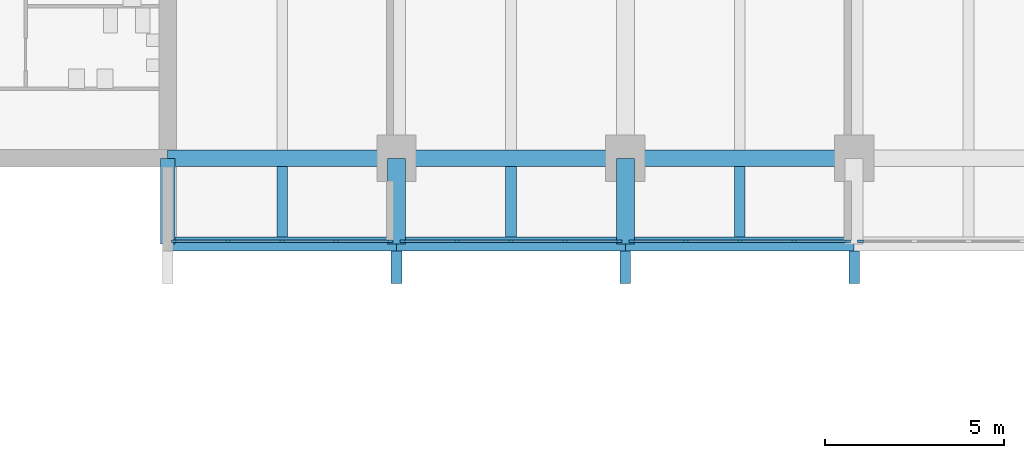
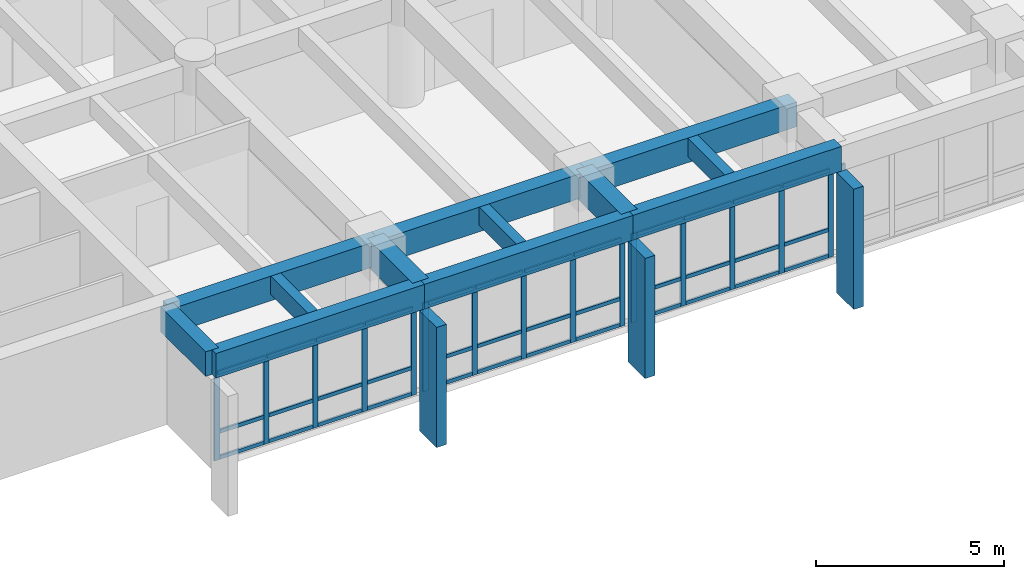
# One storey, part 2 of 19: 55 members, 12 beams, 4 elements without a shape of their own.
"""IFC4 building model written with IfcOpenShell, lengths in metres."""

from ifc_helpers import new_model, si_unit, direction, frame, origin, origin_2d, place, context, subcontext, project, spatial, rectangle, extrude, material, layer, layer_set, material_profile, profile_set, type_object, element, aggregate, save


model = new_model("IFC4")

# Units and contexts
model_context = context("Model", 3, precision=1e-05, world=origin(), true_north=direction((0.0, 1.0)))
body_context = subcontext(model_context, "Body", "Model", "MODEL_VIEW")
ifc_project = project(units=[si_unit("LENGTHUNIT", "METRE"), si_unit("AREAUNIT", "SQUARE_METRE"), si_unit("VOLUMEUNIT", "CUBIC_METRE"), si_unit("PLANEANGLEUNIT", "RADIAN"), si_unit("MASSUNIT", "GRAM", prefix="KILO")], contexts=[model_context])

# Site, building, storey
site_placement = place(None, origin())
site = spatial("IfcSite", under=ifc_project, at=site_placement, CompositionType="ELEMENT")
building_placement = place(site_placement, origin())
building = spatial("IfcBuilding", under=site, at=building_placement, Name="Fogon Plaza Fire Station and Headquarters Tower", CompositionType="ELEMENT")
storey_placement = place(building_placement, frame((0.0, 0.0, 17.10009765625)))
storey = spatial("IfcBuildingStorey", under=building, at=storey_placement, Name="L04", CompositionType="ELEMENT", Elevation=17.10009765625)

# Beams
ifc_material_1 = material(Name="Concrete C40", Category="concrete")
ifc_material_profile_1 = material_profile(ifc_material_1, rectangle(XDim=0.39990234375, YDim=0.800048828125, at=origin_2d()), Name="RC 400x800")
ifc_profile_set_1 = profile_set([ifc_material_profile_1], Name="Concrete C40")
beam_type_1 = type_object("IfcBeamType", Name="BEAM RC 400x800", PredefinedType="BEAM", material=ifc_profile_set_1)
for number, where, z_axis, x_axis, name in (
    (1, (25.60009765625, 31.199951171875, 3.27978515625), (1.0, 0.0, 0.0), (0.0, 1.0, 0.0), "beam-L04-039"),
    (2, (32.0, 31.199951171875, 3.27978515625), (1.0, 0.0, 0.0), (0.0, 1.0, 0.0), "beam-L04-040"),
):
    element("IfcBeam", number, at=place(storey_placement, frame(where, z_axis=z_axis, x_axis=x_axis)), inside=storey, type_object=beam_type_1, Name=name, PredefinedType="BEAM", context=body_context, shape_type="SweptSolid", body=[
        extrude(rectangle(XDim=0.39990234375, YDim=0.800048828125, at=origin_2d()), origin(), (0.0, 0.0, 1.0), 6.39990234375),
    ])
beam_1_placement = place(storey_placement, frame((38.39990234375, 31.199951171875, 3.27978515625), z_axis=(1.0, 0.0, 0.0), x_axis=(0.0, 1.0, 0.0)))
element("IfcBeam", 3, at=beam_1_placement, inside=storey, type_object=beam_type_1, Name="beam-L04-041", PredefinedType="BEAM", context=body_context, shape_type="SweptSolid", body=[
    extrude(rectangle(XDim=0.39990234375, YDim=0.800048828125, at=origin_2d()), origin(), (0.0, 0.0, 1.0), 6.400146484375),
])
ifc_material_2 = material(Name="Concrete C40", Category="concrete")
ifc_material_profile_2 = material_profile(ifc_material_2, rectangle(XDim=0.39990234375, YDim=0.800048828125, at=origin_2d()), Name="RC 400x800")
ifc_profile_set_2 = profile_set([ifc_material_profile_2], Name="Concrete C40")
beam_type_2 = type_object("IfcBeamType", Name="BEAM RC 400x800 SPAN 0.0 TO 3.0 M", PredefinedType="BEAM", material=ifc_profile_set_2)
beam_2_placement = place(storey_placement, frame((25.60009765625, 31.199951171875, 3.27978515625), z_axis=(0.0, 1.0, 0.0), x_axis=(-1.0, 0.0, 0.0)))
element("IfcBeam", 4, at=beam_2_placement, inside=storey, type_object=beam_type_2, Name="beam-L04-051", PredefinedType="BEAM", context=body_context, shape_type="SweptSolid", body=[
    extrude(rectangle(XDim=0.39990234375, YDim=0.800048828125, at=origin_2d()), origin(), (0.0, 0.0, 1.0), 2.400146484375),
])
ifc_material_3 = material(Name="Concrete C40", Category="concrete")
ifc_material_profile_3 = material_profile(ifc_material_3, rectangle(XDim=0.449951171875, YDim=0.800048828125, at=origin_2d()), Name="RC 450x800")
ifc_profile_set_3 = profile_set([ifc_material_profile_3], Name="Concrete C40")
beam_type_3 = type_object("IfcBeamType", Name="BEAM RC 450x800", PredefinedType="BEAM", material=ifc_profile_set_3)
for number, where, z_axis, x_axis, name in (
    (5, (25.60009765625, 33.60009765625, 3.27978515625), (1.0, 0.0, 0.0), (0.0, 1.0, 0.0), "beam-L04-021"),
    (6, (32.0, 33.60009765625, 3.27978515625), (1.0, 0.0, 0.0), (0.0, 1.0, 0.0), "beam-L04-022"),
):
    element("IfcBeam", number, at=place(storey_placement, frame(where, z_axis=z_axis, x_axis=x_axis)), inside=storey, type_object=beam_type_3, Name=name, PredefinedType="BEAM", context=body_context, shape_type="SweptSolid", body=[
        extrude(rectangle(XDim=0.449951171875, YDim=0.800048828125, at=origin_2d()), origin(), (0.0, 0.0, 1.0), 6.39990234375),
    ])
beam_3_placement = place(storey_placement, frame((38.39990234375, 33.60009765625, 3.27978515625), z_axis=(1.0, 0.0, 0.0), x_axis=(0.0, 1.0, 0.0)))
element("IfcBeam", 7, at=beam_3_placement, inside=storey, type_object=beam_type_3, Name="beam-L04-023", PredefinedType="BEAM", context=body_context, shape_type="SweptSolid", body=[
    extrude(rectangle(XDim=0.449951171875, YDim=0.800048828125, at=origin_2d()), origin(), (0.0, 0.0, 1.0), 6.400146484375),
])
ifc_material_4 = material(Name="Concrete C40", Category="concrete")
ifc_material_profile_4 = material_profile(ifc_material_4, rectangle(XDim=0.5, YDim=0.89990234375, at=origin_2d()), Name="RC 500x900")
ifc_profile_set_4 = profile_set([ifc_material_profile_4], Name="Concrete C40")
beam_type_4 = type_object("IfcBeamType", Name="BEAM RC 500x900 SPAN 0.0 TO 3.0 M", PredefinedType="BEAM", material=ifc_profile_set_4)
for number, where, z_axis, x_axis, name in (
    (8, (32.0, 31.199951171875, 3.22998046875), (0.0, 1.0, 0.0), (-1.0, 0.0, 0.0), "beam-L04-001"),
    (9, (38.39990234375, 31.199951171875, 3.22998046875), (0.0, 1.0, 0.0), (-1.0, 0.0, 0.0), "beam-L04-005"),
):
    element("IfcBeam", number, at=place(storey_placement, frame(where, z_axis=z_axis, x_axis=x_axis)), inside=storey, type_object=beam_type_4, Name=name, PredefinedType="BEAM", context=body_context, shape_type="SweptSolid", body=[
        extrude(rectangle(XDim=0.5, YDim=0.89990234375, at=origin_2d()), origin(), (0.0, 0.0, 1.0), 2.400146484375),
    ])

# Curtain wall, members
ifc_material_5 = material(Name="Aluminium and glass", Category="aluminium")
ifc_layer = layer(ifc_material_5, 0.14990234375)
ifc_layer_set = layer_set([ifc_layer], Name="Aluminium and glass")
curtain_wall_type = type_object("IfcCurtainWallType", Name="Unitised Curtain Wall Run 6100x2880", PredefinedType="NOTDEFINED", material=ifc_layer_set)
curtain_wall_1_placement = place(storey_placement, origin())
curtain_wall_1 = element("IfcCurtainWall", 10, at=curtain_wall_1_placement, inside=storey, type_object=curtain_wall_type, Name="CW-6100x2880 S1 L04", PredefinedType="NOTDEFINED")
ifc_material_6 = material(Name="Aluminium", Category="aluminium")
ifc_material_profile_5 = material_profile(ifc_material_6, rectangle(XDim=0.06005859375, YDim=0.159912109375, at=origin_2d()), Name="Curtain Wall Mullion 60x160")
ifc_profile_set_5 = profile_set([ifc_material_profile_5], Name="Aluminium")
member_type_1 = type_object("IfcMemberType", Name="Curtain Wall Mullion 60x160", PredefinedType="MULLION", material=ifc_profile_set_5)
member_1_placement = place(storey_placement, frame((25.780029296875, 31.280029296875, 0.0), z_axis=(0.0, 0.0, 1.0), x_axis=(0.0, 1.0, 0.0)))
member_1 = element("IfcMember", 11, at=member_1_placement, type_object=member_type_1, Name="CW-6100x2880 mullion 1", PredefinedType="MULLION", context=body_context, shape_type="SweptSolid", body=[
    extrude(rectangle(XDim=0.06005859375, YDim=0.159912109375, at=origin_2d()), origin(), (0.0, 0.0, 1.0), 2.8798828125),
])
member_2_placement = place(storey_placement, frame((27.2900390625, 31.280029296875, 0.0), z_axis=(0.0, 0.0, 1.0), x_axis=(0.0, 1.0, 0.0)))
member_2 = element("IfcMember", 12, at=member_2_placement, type_object=member_type_1, Name="CW-6100x2880 mullion 2", PredefinedType="MULLION", context=body_context, shape_type="SweptSolid", body=[
    extrude(rectangle(XDim=0.06005859375, YDim=0.159912109375, at=origin_2d()), origin(), (0.0, 0.0, 1.0), 2.8798828125),
])
member_3_placement = place(storey_placement, frame((28.800048828125, 31.280029296875, 0.0), z_axis=(0.0, 0.0, 1.0), x_axis=(0.0, 1.0, 0.0)))
member_3 = element("IfcMember", 13, at=member_3_placement, type_object=member_type_1, Name="CW-6100x2880 mullion 3", PredefinedType="MULLION", context=body_context, shape_type="SweptSolid", body=[
    extrude(rectangle(XDim=0.06005859375, YDim=0.159912109375, at=origin_2d()), origin(), (0.0, 0.0, 1.0), 2.8798828125),
])
member_4_placement = place(storey_placement, frame((30.31005859375, 31.280029296875, 0.0), z_axis=(0.0, 0.0, 1.0), x_axis=(0.0, 1.0, 0.0)))
member_4 = element("IfcMember", 14, at=member_4_placement, type_object=member_type_1, Name="CW-6100x2880 mullion 4", PredefinedType="MULLION", context=body_context, shape_type="SweptSolid", body=[
    extrude(rectangle(XDim=0.06005859375, YDim=0.159912109375, at=origin_2d()), origin(), (0.0, 0.0, 1.0), 2.8798828125),
])
member_5_placement = place(storey_placement, frame((31.820068359375, 31.280029296875, 0.0), z_axis=(0.0, 0.0, 1.0), x_axis=(0.0, 1.0, 0.0)))
member_5 = element("IfcMember", 15, at=member_5_placement, type_object=member_type_1, Name="CW-6100x2880 mullion 5", PredefinedType="MULLION", context=body_context, shape_type="SweptSolid", body=[
    extrude(rectangle(XDim=0.06005859375, YDim=0.159912109375, at=origin_2d()), origin(), (0.0, 0.0, 1.0), 2.8798828125),
])

curtain_wall_2_placement = place(storey_placement, origin())
curtain_wall_2 = element("IfcCurtainWall", 16, at=curtain_wall_2_placement, inside=storey, type_object=curtain_wall_type, Name="CW-6100x2880 S2 L04", PredefinedType="NOTDEFINED")
member_6_placement = place(storey_placement, frame((32.179931640625, 31.280029296875, 0.0), z_axis=(0.0, 0.0, 1.0), x_axis=(0.0, 1.0, 0.0)))
member_6 = element("IfcMember", 17, at=member_6_placement, type_object=member_type_1, Name="CW-6100x2880 mullion 1", PredefinedType="MULLION", context=body_context, shape_type="SweptSolid", body=[
    extrude(rectangle(XDim=0.06005859375, YDim=0.159912109375, at=origin_2d()), origin(), (0.0, 0.0, 1.0), 2.8798828125),
])
member_7_placement = place(storey_placement, frame((33.68994140625, 31.280029296875, 0.0), z_axis=(0.0, 0.0, 1.0), x_axis=(0.0, 1.0, 0.0)))
member_7 = element("IfcMember", 18, at=member_7_placement, type_object=member_type_1, Name="CW-6100x2880 mullion 2", PredefinedType="MULLION", context=body_context, shape_type="SweptSolid", body=[
    extrude(rectangle(XDim=0.06005859375, YDim=0.159912109375, at=origin_2d()), origin(), (0.0, 0.0, 1.0), 2.8798828125),
])
member_8_placement = place(storey_placement, frame((35.199951171875, 31.280029296875, 0.0), z_axis=(0.0, 0.0, 1.0), x_axis=(0.0, 1.0, 0.0)))
member_8 = element("IfcMember", 19, at=member_8_placement, type_object=member_type_1, Name="CW-6100x2880 mullion 3", PredefinedType="MULLION", context=body_context, shape_type="SweptSolid", body=[
    extrude(rectangle(XDim=0.06005859375, YDim=0.159912109375, at=origin_2d()), origin(), (0.0, 0.0, 1.0), 2.8798828125),
])
member_9_placement = place(storey_placement, frame((36.7099609375, 31.280029296875, 0.0), z_axis=(0.0, 0.0, 1.0), x_axis=(0.0, 1.0, 0.0)))
member_9 = element("IfcMember", 20, at=member_9_placement, type_object=member_type_1, Name="CW-6100x2880 mullion 4", PredefinedType="MULLION", context=body_context, shape_type="SweptSolid", body=[
    extrude(rectangle(XDim=0.06005859375, YDim=0.159912109375, at=origin_2d()), origin(), (0.0, 0.0, 1.0), 2.8798828125),
])
member_10_placement = place(storey_placement, frame((38.219970703125, 31.280029296875, 0.0), z_axis=(0.0, 0.0, 1.0), x_axis=(0.0, 1.0, 0.0)))
member_10 = element("IfcMember", 21, at=member_10_placement, type_object=member_type_1, Name="CW-6100x2880 mullion 5", PredefinedType="MULLION", context=body_context, shape_type="SweptSolid", body=[
    extrude(rectangle(XDim=0.06005859375, YDim=0.159912109375, at=origin_2d()), origin(), (0.0, 0.0, 1.0), 2.8798828125),
])

curtain_wall_3_placement = place(storey_placement, origin())
curtain_wall_3 = element("IfcCurtainWall", 22, at=curtain_wall_3_placement, inside=storey, type_object=curtain_wall_type, Name="CW-6100x2880 S3 L04", PredefinedType="NOTDEFINED")
member_11_placement = place(storey_placement, frame((38.580078125, 31.280029296875, 0.0), z_axis=(0.0, 0.0, 1.0), x_axis=(0.0, 1.0, 0.0)))
member_11 = element("IfcMember", 23, at=member_11_placement, type_object=member_type_1, Name="CW-6100x2880 mullion 1", PredefinedType="MULLION", context=body_context, shape_type="SweptSolid", body=[
    extrude(rectangle(XDim=0.06005859375, YDim=0.159912109375, at=origin_2d()), origin(), (0.0, 0.0, 1.0), 2.8798828125),
])
member_12_placement = place(storey_placement, frame((40.090087890625, 31.280029296875, 0.0), z_axis=(0.0, 0.0, 1.0), x_axis=(0.0, 1.0, 0.0)))
member_12 = element("IfcMember", 24, at=member_12_placement, type_object=member_type_1, Name="CW-6100x2880 mullion 2", PredefinedType="MULLION", context=body_context, shape_type="SweptSolid", body=[
    extrude(rectangle(XDim=0.06005859375, YDim=0.159912109375, at=origin_2d()), origin(), (0.0, 0.0, 1.0), 2.8798828125),
])
member_13_placement = place(storey_placement, frame((41.60009765625, 31.280029296875, 0.0), z_axis=(0.0, 0.0, 1.0), x_axis=(0.0, 1.0, 0.0)))
member_13 = element("IfcMember", 25, at=member_13_placement, type_object=member_type_1, Name="CW-6100x2880 mullion 3", PredefinedType="MULLION", context=body_context, shape_type="SweptSolid", body=[
    extrude(rectangle(XDim=0.06005859375, YDim=0.159912109375, at=origin_2d()), origin(), (0.0, 0.0, 1.0), 2.8798828125),
])
member_14_placement = place(storey_placement, frame((43.110107421875, 31.280029296875, 0.0), z_axis=(0.0, 0.0, 1.0), x_axis=(0.0, 1.0, 0.0)))
member_14 = element("IfcMember", 26, at=member_14_placement, type_object=member_type_1, Name="CW-6100x2880 mullion 4", PredefinedType="MULLION", context=body_context, shape_type="SweptSolid", body=[
    extrude(rectangle(XDim=0.06005859375, YDim=0.159912109375, at=origin_2d()), origin(), (0.0, 0.0, 1.0), 2.8798828125),
])
member_15_placement = place(storey_placement, frame((44.6201171875, 31.280029296875, 0.0), z_axis=(0.0, 0.0, 1.0), x_axis=(0.0, 1.0, 0.0)))
member_15 = element("IfcMember", 27, at=member_15_placement, type_object=member_type_1, Name="CW-6100x2880 mullion 5", PredefinedType="MULLION", context=body_context, shape_type="SweptSolid", body=[
    extrude(rectangle(XDim=0.06005859375, YDim=0.159912109375, at=origin_2d()), origin(), (0.0, 0.0, 1.0), 2.8798828125),
])

# Curtain wall, member
curtain_wall_4_placement = place(storey_placement, origin())
curtain_wall_4 = element("IfcCurtainWall", 28, at=curtain_wall_4_placement, inside=storey, type_object=curtain_wall_type, Name="CW-6100x2880 S4 L04", PredefinedType="NOTDEFINED")
member_16_placement = place(storey_placement, frame((44.97998046875, 31.280029296875, 0.0), z_axis=(0.0, 0.0, 1.0), x_axis=(0.0, 1.0, 0.0)))
member_16 = element("IfcMember", 29, at=member_16_placement, type_object=member_type_1, Name="CW-6100x2880 mullion 1", PredefinedType="MULLION", context=body_context, shape_type="SweptSolid", body=[
    extrude(rectangle(XDim=0.06005859375, YDim=0.159912109375, at=origin_2d()), origin(), (0.0, 0.0, 1.0), 2.8798828125),
])
aggregate(curtain_wall_4, [member_16])

# Member
ifc_material_7 = material(Name="Aluminium", Category="aluminium")
ifc_material_profile_6 = material_profile(ifc_material_7, rectangle(XDim=0.06005859375, YDim=0.1201171875, at=origin_2d()), Name="Curtain Wall Transom 60x120")
ifc_profile_set_6 = profile_set([ifc_material_profile_6], Name="Aluminium")
member_type_2 = type_object("IfcMemberType", Name="Curtain Wall Transom 60x120", PredefinedType="USERDEFINED", material=ifc_profile_set_6)
member_17_placement = place(storey_placement, frame((25.81005859375, 31.280029296875, 0.059814453125), z_axis=(1.0, 0.0, 0.0), x_axis=(0.0, 1.0, 0.0)))
member_17 = element("IfcMember", 30, at=member_17_placement, type_object=member_type_2, Name="CW-6100x2880 transom 1.1", ObjectType="TRANSOM", PredefinedType="USERDEFINED", context=body_context, shape_type="SweptSolid", body=[
    extrude(rectangle(XDim=0.06005859375, YDim=0.1201171875, at=origin_2d()), origin(), (0.0, 0.0, 1.0), 1.449951171875),
])

member_18_placement = place(storey_placement, frame((25.81005859375, 31.280029296875, 0.89990234375), z_axis=(1.0, 0.0, 0.0), x_axis=(0.0, 1.0, 0.0)))
member_18 = element("IfcMember", 31, at=member_18_placement, type_object=member_type_2, Name="CW-6100x2880 transom 1.2", ObjectType="TRANSOM", PredefinedType="USERDEFINED", context=body_context, shape_type="SweptSolid", body=[
    extrude(rectangle(XDim=0.06005859375, YDim=0.1201171875, at=origin_2d()), origin(), (0.0, 0.0, 1.0), 1.449951171875),
])

member_19_placement = place(storey_placement, frame((25.81005859375, 31.280029296875, 2.81982421875), z_axis=(1.0, 0.0, 0.0), x_axis=(0.0, 1.0, 0.0)))
member_19 = element("IfcMember", 32, at=member_19_placement, type_object=member_type_2, Name="CW-6100x2880 transom 1.3", ObjectType="TRANSOM", PredefinedType="USERDEFINED", context=body_context, shape_type="SweptSolid", body=[
    extrude(rectangle(XDim=0.06005859375, YDim=0.1201171875, at=origin_2d()), origin(), (0.0, 0.0, 1.0), 1.449951171875),
])

member_20_placement = place(storey_placement, frame((27.320068359375, 31.280029296875, 0.059814453125), z_axis=(1.0, 0.0, 0.0), x_axis=(0.0, 1.0, 0.0)))
member_20 = element("IfcMember", 33, at=member_20_placement, type_object=member_type_2, Name="CW-6100x2880 transom 2.1", ObjectType="TRANSOM", PredefinedType="USERDEFINED", context=body_context, shape_type="SweptSolid", body=[
    extrude(rectangle(XDim=0.06005859375, YDim=0.1201171875, at=origin_2d()), origin(), (0.0, 0.0, 1.0), 1.449951171875),
])

member_21_placement = place(storey_placement, frame((27.320068359375, 31.280029296875, 0.89990234375), z_axis=(1.0, 0.0, 0.0), x_axis=(0.0, 1.0, 0.0)))
member_21 = element("IfcMember", 34, at=member_21_placement, type_object=member_type_2, Name="CW-6100x2880 transom 2.2", ObjectType="TRANSOM", PredefinedType="USERDEFINED", context=body_context, shape_type="SweptSolid", body=[
    extrude(rectangle(XDim=0.06005859375, YDim=0.1201171875, at=origin_2d()), origin(), (0.0, 0.0, 1.0), 1.449951171875),
])

member_22_placement = place(storey_placement, frame((27.320068359375, 31.280029296875, 2.81982421875), z_axis=(1.0, 0.0, 0.0), x_axis=(0.0, 1.0, 0.0)))
member_22 = element("IfcMember", 35, at=member_22_placement, type_object=member_type_2, Name="CW-6100x2880 transom 2.3", ObjectType="TRANSOM", PredefinedType="USERDEFINED", context=body_context, shape_type="SweptSolid", body=[
    extrude(rectangle(XDim=0.06005859375, YDim=0.1201171875, at=origin_2d()), origin(), (0.0, 0.0, 1.0), 1.449951171875),
])

member_23_placement = place(storey_placement, frame((28.830078125, 31.280029296875, 0.059814453125), z_axis=(1.0, 0.0, 0.0), x_axis=(0.0, 1.0, 0.0)))
member_23 = element("IfcMember", 36, at=member_23_placement, type_object=member_type_2, Name="CW-6100x2880 transom 3.1", ObjectType="TRANSOM", PredefinedType="USERDEFINED", context=body_context, shape_type="SweptSolid", body=[
    extrude(rectangle(XDim=0.06005859375, YDim=0.1201171875, at=origin_2d()), origin(), (0.0, 0.0, 1.0), 1.449951171875),
])

member_24_placement = place(storey_placement, frame((28.830078125, 31.280029296875, 0.89990234375), z_axis=(1.0, 0.0, 0.0), x_axis=(0.0, 1.0, 0.0)))
member_24 = element("IfcMember", 37, at=member_24_placement, type_object=member_type_2, Name="CW-6100x2880 transom 3.2", ObjectType="TRANSOM", PredefinedType="USERDEFINED", context=body_context, shape_type="SweptSolid", body=[
    extrude(rectangle(XDim=0.06005859375, YDim=0.1201171875, at=origin_2d()), origin(), (0.0, 0.0, 1.0), 1.449951171875),
])

member_25_placement = place(storey_placement, frame((28.830078125, 31.280029296875, 2.81982421875), z_axis=(1.0, 0.0, 0.0), x_axis=(0.0, 1.0, 0.0)))
member_25 = element("IfcMember", 38, at=member_25_placement, type_object=member_type_2, Name="CW-6100x2880 transom 3.3", ObjectType="TRANSOM", PredefinedType="USERDEFINED", context=body_context, shape_type="SweptSolid", body=[
    extrude(rectangle(XDim=0.06005859375, YDim=0.1201171875, at=origin_2d()), origin(), (0.0, 0.0, 1.0), 1.449951171875),
])

member_26_placement = place(storey_placement, frame((30.340087890625, 31.280029296875, 0.059814453125), z_axis=(1.0, 0.0, 0.0), x_axis=(0.0, 1.0, 0.0)))
member_26 = element("IfcMember", 39, at=member_26_placement, type_object=member_type_2, Name="CW-6100x2880 transom 4.1", ObjectType="TRANSOM", PredefinedType="USERDEFINED", context=body_context, shape_type="SweptSolid", body=[
    extrude(rectangle(XDim=0.06005859375, YDim=0.1201171875, at=origin_2d()), origin(), (0.0, 0.0, 1.0), 1.449951171875),
])

member_27_placement = place(storey_placement, frame((30.340087890625, 31.280029296875, 0.89990234375), z_axis=(1.0, 0.0, 0.0), x_axis=(0.0, 1.0, 0.0)))
member_27 = element("IfcMember", 40, at=member_27_placement, type_object=member_type_2, Name="CW-6100x2880 transom 4.2", ObjectType="TRANSOM", PredefinedType="USERDEFINED", context=body_context, shape_type="SweptSolid", body=[
    extrude(rectangle(XDim=0.06005859375, YDim=0.1201171875, at=origin_2d()), origin(), (0.0, 0.0, 1.0), 1.449951171875),
])

member_28_placement = place(storey_placement, frame((30.340087890625, 31.280029296875, 2.81982421875), z_axis=(1.0, 0.0, 0.0), x_axis=(0.0, 1.0, 0.0)))
member_28 = element("IfcMember", 41, at=member_28_placement, type_object=member_type_2, Name="CW-6100x2880 transom 4.3", ObjectType="TRANSOM", PredefinedType="USERDEFINED", context=body_context, shape_type="SweptSolid", body=[
    extrude(rectangle(XDim=0.06005859375, YDim=0.1201171875, at=origin_2d()), origin(), (0.0, 0.0, 1.0), 1.449951171875),
])

aggregate(curtain_wall_1, [member_1, member_2, member_3, member_4, member_5, member_17, member_18, member_19, member_20, member_21, member_22, member_23, member_24, member_25, member_26, member_27, member_28])

member_29_placement = place(storey_placement, frame((32.2099609375, 31.280029296875, 0.059814453125), z_axis=(1.0, 0.0, 0.0), x_axis=(0.0, 1.0, 0.0)))
member_29 = element("IfcMember", 42, at=member_29_placement, type_object=member_type_2, Name="CW-6100x2880 transom 1.1", ObjectType="TRANSOM", PredefinedType="USERDEFINED", context=body_context, shape_type="SweptSolid", body=[
    extrude(rectangle(XDim=0.06005859375, YDim=0.1201171875, at=origin_2d()), origin(), (0.0, 0.0, 1.0), 1.449951171875),
])

member_30_placement = place(storey_placement, frame((32.2099609375, 31.280029296875, 0.89990234375), z_axis=(1.0, 0.0, 0.0), x_axis=(0.0, 1.0, 0.0)))
member_30 = element("IfcMember", 43, at=member_30_placement, type_object=member_type_2, Name="CW-6100x2880 transom 1.2", ObjectType="TRANSOM", PredefinedType="USERDEFINED", context=body_context, shape_type="SweptSolid", body=[
    extrude(rectangle(XDim=0.06005859375, YDim=0.1201171875, at=origin_2d()), origin(), (0.0, 0.0, 1.0), 1.449951171875),
])

member_31_placement = place(storey_placement, frame((32.2099609375, 31.280029296875, 2.81982421875), z_axis=(1.0, 0.0, 0.0), x_axis=(0.0, 1.0, 0.0)))
member_31 = element("IfcMember", 44, at=member_31_placement, type_object=member_type_2, Name="CW-6100x2880 transom 1.3", ObjectType="TRANSOM", PredefinedType="USERDEFINED", context=body_context, shape_type="SweptSolid", body=[
    extrude(rectangle(XDim=0.06005859375, YDim=0.1201171875, at=origin_2d()), origin(), (0.0, 0.0, 1.0), 1.449951171875),
])

member_32_placement = place(storey_placement, frame((33.719970703125, 31.280029296875, 0.059814453125), z_axis=(1.0, 0.0, 0.0), x_axis=(0.0, 1.0, 0.0)))
member_32 = element("IfcMember", 45, at=member_32_placement, type_object=member_type_2, Name="CW-6100x2880 transom 2.1", ObjectType="TRANSOM", PredefinedType="USERDEFINED", context=body_context, shape_type="SweptSolid", body=[
    extrude(rectangle(XDim=0.06005859375, YDim=0.1201171875, at=origin_2d()), origin(), (0.0, 0.0, 1.0), 1.449951171875),
])

member_33_placement = place(storey_placement, frame((33.719970703125, 31.280029296875, 0.89990234375), z_axis=(1.0, 0.0, 0.0), x_axis=(0.0, 1.0, 0.0)))
member_33 = element("IfcMember", 46, at=member_33_placement, type_object=member_type_2, Name="CW-6100x2880 transom 2.2", ObjectType="TRANSOM", PredefinedType="USERDEFINED", context=body_context, shape_type="SweptSolid", body=[
    extrude(rectangle(XDim=0.06005859375, YDim=0.1201171875, at=origin_2d()), origin(), (0.0, 0.0, 1.0), 1.449951171875),
])

member_34_placement = place(storey_placement, frame((33.719970703125, 31.280029296875, 2.81982421875), z_axis=(1.0, 0.0, 0.0), x_axis=(0.0, 1.0, 0.0)))
member_34 = element("IfcMember", 47, at=member_34_placement, type_object=member_type_2, Name="CW-6100x2880 transom 2.3", ObjectType="TRANSOM", PredefinedType="USERDEFINED", context=body_context, shape_type="SweptSolid", body=[
    extrude(rectangle(XDim=0.06005859375, YDim=0.1201171875, at=origin_2d()), origin(), (0.0, 0.0, 1.0), 1.449951171875),
])

member_35_placement = place(storey_placement, frame((35.22998046875, 31.280029296875, 0.059814453125), z_axis=(1.0, 0.0, 0.0), x_axis=(0.0, 1.0, 0.0)))
member_35 = element("IfcMember", 48, at=member_35_placement, type_object=member_type_2, Name="CW-6100x2880 transom 3.1", ObjectType="TRANSOM", PredefinedType="USERDEFINED", context=body_context, shape_type="SweptSolid", body=[
    extrude(rectangle(XDim=0.06005859375, YDim=0.1201171875, at=origin_2d()), origin(), (0.0, 0.0, 1.0), 1.449951171875),
])

member_36_placement = place(storey_placement, frame((35.22998046875, 31.280029296875, 0.89990234375), z_axis=(1.0, 0.0, 0.0), x_axis=(0.0, 1.0, 0.0)))
member_36 = element("IfcMember", 49, at=member_36_placement, type_object=member_type_2, Name="CW-6100x2880 transom 3.2", ObjectType="TRANSOM", PredefinedType="USERDEFINED", context=body_context, shape_type="SweptSolid", body=[
    extrude(rectangle(XDim=0.06005859375, YDim=0.1201171875, at=origin_2d()), origin(), (0.0, 0.0, 1.0), 1.449951171875),
])

member_37_placement = place(storey_placement, frame((35.22998046875, 31.280029296875, 2.81982421875), z_axis=(1.0, 0.0, 0.0), x_axis=(0.0, 1.0, 0.0)))
member_37 = element("IfcMember", 50, at=member_37_placement, type_object=member_type_2, Name="CW-6100x2880 transom 3.3", ObjectType="TRANSOM", PredefinedType="USERDEFINED", context=body_context, shape_type="SweptSolid", body=[
    extrude(rectangle(XDim=0.06005859375, YDim=0.1201171875, at=origin_2d()), origin(), (0.0, 0.0, 1.0), 1.449951171875),
])

member_38_placement = place(storey_placement, frame((36.739990234375, 31.280029296875, 0.059814453125), z_axis=(1.0, 0.0, 0.0), x_axis=(0.0, 1.0, 0.0)))
member_38 = element("IfcMember", 51, at=member_38_placement, type_object=member_type_2, Name="CW-6100x2880 transom 4.1", ObjectType="TRANSOM", PredefinedType="USERDEFINED", context=body_context, shape_type="SweptSolid", body=[
    extrude(rectangle(XDim=0.06005859375, YDim=0.1201171875, at=origin_2d()), origin(), (0.0, 0.0, 1.0), 1.449951171875),
])

member_39_placement = place(storey_placement, frame((36.739990234375, 31.280029296875, 0.89990234375), z_axis=(1.0, 0.0, 0.0), x_axis=(0.0, 1.0, 0.0)))
member_39 = element("IfcMember", 52, at=member_39_placement, type_object=member_type_2, Name="CW-6100x2880 transom 4.2", ObjectType="TRANSOM", PredefinedType="USERDEFINED", context=body_context, shape_type="SweptSolid", body=[
    extrude(rectangle(XDim=0.06005859375, YDim=0.1201171875, at=origin_2d()), origin(), (0.0, 0.0, 1.0), 1.449951171875),
])

member_40_placement = place(storey_placement, frame((36.739990234375, 31.280029296875, 2.81982421875), z_axis=(1.0, 0.0, 0.0), x_axis=(0.0, 1.0, 0.0)))
member_40 = element("IfcMember", 53, at=member_40_placement, type_object=member_type_2, Name="CW-6100x2880 transom 4.3", ObjectType="TRANSOM", PredefinedType="USERDEFINED", context=body_context, shape_type="SweptSolid", body=[
    extrude(rectangle(XDim=0.06005859375, YDim=0.1201171875, at=origin_2d()), origin(), (0.0, 0.0, 1.0), 1.449951171875),
])

aggregate(curtain_wall_2, [member_6, member_7, member_8, member_9, member_10, member_29, member_30, member_31, member_32, member_33, member_34, member_35, member_36, member_37, member_38, member_39, member_40])

member_41_placement = place(storey_placement, frame((38.610107421875, 31.280029296875, 0.059814453125), z_axis=(1.0, 0.0, 0.0), x_axis=(0.0, 1.0, 0.0)))
member_41 = element("IfcMember", 54, at=member_41_placement, type_object=member_type_2, Name="CW-6100x2880 transom 1.1", ObjectType="TRANSOM", PredefinedType="USERDEFINED", context=body_context, shape_type="SweptSolid", body=[
    extrude(rectangle(XDim=0.06005859375, YDim=0.1201171875, at=origin_2d()), origin(), (0.0, 0.0, 1.0), 1.449951171875),
])

member_42_placement = place(storey_placement, frame((38.610107421875, 31.280029296875, 0.89990234375), z_axis=(1.0, 0.0, 0.0), x_axis=(0.0, 1.0, 0.0)))
member_42 = element("IfcMember", 55, at=member_42_placement, type_object=member_type_2, Name="CW-6100x2880 transom 1.2", ObjectType="TRANSOM", PredefinedType="USERDEFINED", context=body_context, shape_type="SweptSolid", body=[
    extrude(rectangle(XDim=0.06005859375, YDim=0.1201171875, at=origin_2d()), origin(), (0.0, 0.0, 1.0), 1.449951171875),
])

member_43_placement = place(storey_placement, frame((38.610107421875, 31.280029296875, 2.81982421875), z_axis=(1.0, 0.0, 0.0), x_axis=(0.0, 1.0, 0.0)))
member_43 = element("IfcMember", 56, at=member_43_placement, type_object=member_type_2, Name="CW-6100x2880 transom 1.3", ObjectType="TRANSOM", PredefinedType="USERDEFINED", context=body_context, shape_type="SweptSolid", body=[
    extrude(rectangle(XDim=0.06005859375, YDim=0.1201171875, at=origin_2d()), origin(), (0.0, 0.0, 1.0), 1.449951171875),
])

member_44_placement = place(storey_placement, frame((40.1201171875, 31.280029296875, 0.059814453125), z_axis=(1.0, 0.0, 0.0), x_axis=(0.0, 1.0, 0.0)))
member_44 = element("IfcMember", 57, at=member_44_placement, type_object=member_type_2, Name="CW-6100x2880 transom 2.1", ObjectType="TRANSOM", PredefinedType="USERDEFINED", context=body_context, shape_type="SweptSolid", body=[
    extrude(rectangle(XDim=0.06005859375, YDim=0.1201171875, at=origin_2d()), origin(), (0.0, 0.0, 1.0), 1.449951171875),
])

member_45_placement = place(storey_placement, frame((40.1201171875, 31.280029296875, 0.89990234375), z_axis=(1.0, 0.0, 0.0), x_axis=(0.0, 1.0, 0.0)))
member_45 = element("IfcMember", 58, at=member_45_placement, type_object=member_type_2, Name="CW-6100x2880 transom 2.2", ObjectType="TRANSOM", PredefinedType="USERDEFINED", context=body_context, shape_type="SweptSolid", body=[
    extrude(rectangle(XDim=0.06005859375, YDim=0.1201171875, at=origin_2d()), origin(), (0.0, 0.0, 1.0), 1.449951171875),
])

member_46_placement = place(storey_placement, frame((40.1201171875, 31.280029296875, 2.81982421875), z_axis=(1.0, 0.0, 0.0), x_axis=(0.0, 1.0, 0.0)))
member_46 = element("IfcMember", 59, at=member_46_placement, type_object=member_type_2, Name="CW-6100x2880 transom 2.3", ObjectType="TRANSOM", PredefinedType="USERDEFINED", context=body_context, shape_type="SweptSolid", body=[
    extrude(rectangle(XDim=0.06005859375, YDim=0.1201171875, at=origin_2d()), origin(), (0.0, 0.0, 1.0), 1.449951171875),
])

member_47_placement = place(storey_placement, frame((41.6298828125, 31.280029296875, 0.059814453125), z_axis=(1.0, 0.0, 0.0), x_axis=(0.0, 1.0, 0.0)))
member_47 = element("IfcMember", 60, at=member_47_placement, type_object=member_type_2, Name="CW-6100x2880 transom 3.1", ObjectType="TRANSOM", PredefinedType="USERDEFINED", context=body_context, shape_type="SweptSolid", body=[
    extrude(rectangle(XDim=0.06005859375, YDim=0.1201171875, at=origin_2d()), origin(), (0.0, 0.0, 1.0), 1.4501953125),
])

member_48_placement = place(storey_placement, frame((41.6298828125, 31.280029296875, 0.89990234375), z_axis=(1.0, 0.0, 0.0), x_axis=(0.0, 1.0, 0.0)))
member_48 = element("IfcMember", 61, at=member_48_placement, type_object=member_type_2, Name="CW-6100x2880 transom 3.2", ObjectType="TRANSOM", PredefinedType="USERDEFINED", context=body_context, shape_type="SweptSolid", body=[
    extrude(rectangle(XDim=0.06005859375, YDim=0.1201171875, at=origin_2d()), origin(), (0.0, 0.0, 1.0), 1.4501953125),
])

member_49_placement = place(storey_placement, frame((41.6298828125, 31.280029296875, 2.81982421875), z_axis=(1.0, 0.0, 0.0), x_axis=(0.0, 1.0, 0.0)))
member_49 = element("IfcMember", 62, at=member_49_placement, type_object=member_type_2, Name="CW-6100x2880 transom 3.3", ObjectType="TRANSOM", PredefinedType="USERDEFINED", context=body_context, shape_type="SweptSolid", body=[
    extrude(rectangle(XDim=0.06005859375, YDim=0.1201171875, at=origin_2d()), origin(), (0.0, 0.0, 1.0), 1.4501953125),
])

member_50_placement = place(storey_placement, frame((43.139892578125, 31.280029296875, 0.059814453125), z_axis=(1.0, 0.0, 0.0), x_axis=(0.0, 1.0, 0.0)))
member_50 = element("IfcMember", 63, at=member_50_placement, type_object=member_type_2, Name="CW-6100x2880 transom 4.1", ObjectType="TRANSOM", PredefinedType="USERDEFINED", context=body_context, shape_type="SweptSolid", body=[
    extrude(rectangle(XDim=0.06005859375, YDim=0.1201171875, at=origin_2d()), origin(), (0.0, 0.0, 1.0), 1.4501953125),
])

member_51_placement = place(storey_placement, frame((43.139892578125, 31.280029296875, 0.89990234375), z_axis=(1.0, 0.0, 0.0), x_axis=(0.0, 1.0, 0.0)))
member_51 = element("IfcMember", 64, at=member_51_placement, type_object=member_type_2, Name="CW-6100x2880 transom 4.2", ObjectType="TRANSOM", PredefinedType="USERDEFINED", context=body_context, shape_type="SweptSolid", body=[
    extrude(rectangle(XDim=0.06005859375, YDim=0.1201171875, at=origin_2d()), origin(), (0.0, 0.0, 1.0), 1.4501953125),
])

member_52_placement = place(storey_placement, frame((43.139892578125, 31.280029296875, 2.81982421875), z_axis=(1.0, 0.0, 0.0), x_axis=(0.0, 1.0, 0.0)))
member_52 = element("IfcMember", 65, at=member_52_placement, type_object=member_type_2, Name="CW-6100x2880 transom 4.3", ObjectType="TRANSOM", PredefinedType="USERDEFINED", context=body_context, shape_type="SweptSolid", body=[
    extrude(rectangle(XDim=0.06005859375, YDim=0.1201171875, at=origin_2d()), origin(), (0.0, 0.0, 1.0), 1.4501953125),
])

aggregate(curtain_wall_3, [member_11, member_12, member_13, member_14, member_15, member_41, member_42, member_43, member_44, member_45, member_46, member_47, member_48, member_49, member_50, member_51, member_52])

# Beams
ifc_material_8 = material(Name="Concrete C40", Category="concrete")
ifc_material_profile_7 = material_profile(ifc_material_8, rectangle(XDim=0.300048828125, YDim=0.60009765625, at=origin_2d()), Name="RC 300x600")
ifc_profile_set_7 = profile_set([ifc_material_profile_7], Name="Concrete C40")
beam_type_5 = type_object("IfcBeamType", Name="JOIST RC 300x600 SPAN 0.0 TO 3.0 M", PredefinedType="JOIST", material=ifc_profile_set_7)
for number, where, z_axis, x_axis, name in (
    (66, (28.800048828125, 31.39990234375, 3.3798828125), (0.0, 1.0, 0.0), (-1.0, 0.0, 0.0), "beam-L04-055"),
    (67, (35.199951171875, 31.39990234375, 3.3798828125), (0.0, 1.0, 0.0), (-1.0, 0.0, 0.0), "beam-L04-059"),
    (68, (41.60009765625, 31.39990234375, 3.3798828125), (0.0, 1.0, 0.0), (-1.0, 0.0, 0.0), "beam-L04-063"),
):
    element("IfcBeam", number, at=place(storey_placement, frame(where, z_axis=z_axis, x_axis=x_axis)), inside=storey, type_object=beam_type_5, Name=name, PredefinedType="JOIST", context=body_context, shape_type="SweptSolid", body=[
        extrude(rectangle(XDim=0.300048828125, YDim=0.60009765625, at=origin_2d()), origin(), (0.0, 0.0, 1.0), 1.97509765625),
    ])

# Members
ifc_material_9 = material(Name="Concrete C40 precast", Category="concrete")
ifc_material_profile_8 = material_profile(ifc_material_9, rectangle(XDim=0.300048828125, YDim=0.89990234375, at=origin_2d()), Name="Precast Concrete Post 300x900")
ifc_profile_set_8 = profile_set([ifc_material_profile_8], Name="Concrete C40 precast")
member_type_3 = type_object("IfcMemberType", Name="Precast Concrete Post 300x900", PredefinedType="POST", material=ifc_profile_set_8)
for number, where, z_axis, x_axis, name in (
    (69, (32.0, 30.550048828125, -1.02001953125), (0.0, 0.0, 1.0), (1.0, 0.0, 0.0), "Precast Post S L04"),
    (70, (38.39990234375, 30.550048828125, -1.02001953125), (0.0, 0.0, 1.0), (1.0, 0.0, 0.0), "Precast Post S L04"),
    (71, (44.800048828125, 30.550048828125, -1.02001953125), (0.0, 0.0, 1.0), (1.0, 0.0, 0.0), "Precast Post S L04"),
):
    element("IfcMember", number, at=place(storey_placement, frame(where, z_axis=z_axis, x_axis=x_axis)), inside=storey, type_object=member_type_3, Name=name, PredefinedType="POST", context=body_context, shape_type="SweptSolid", body=[
        extrude(rectangle(XDim=0.300048828125, YDim=0.89990234375, at=origin_2d()), origin(), (0.0, 0.0, 1.0), 3.89990234375),
    ])

save(model, "model.ifc")
